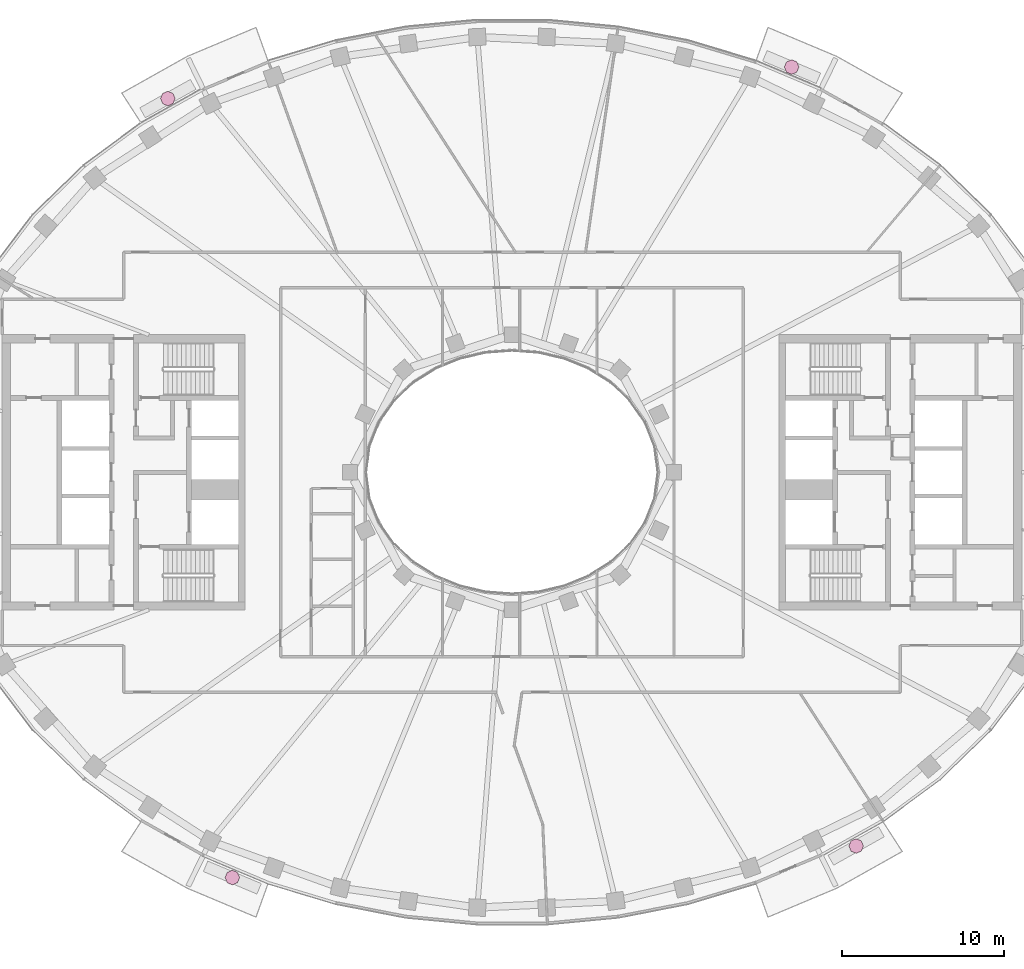
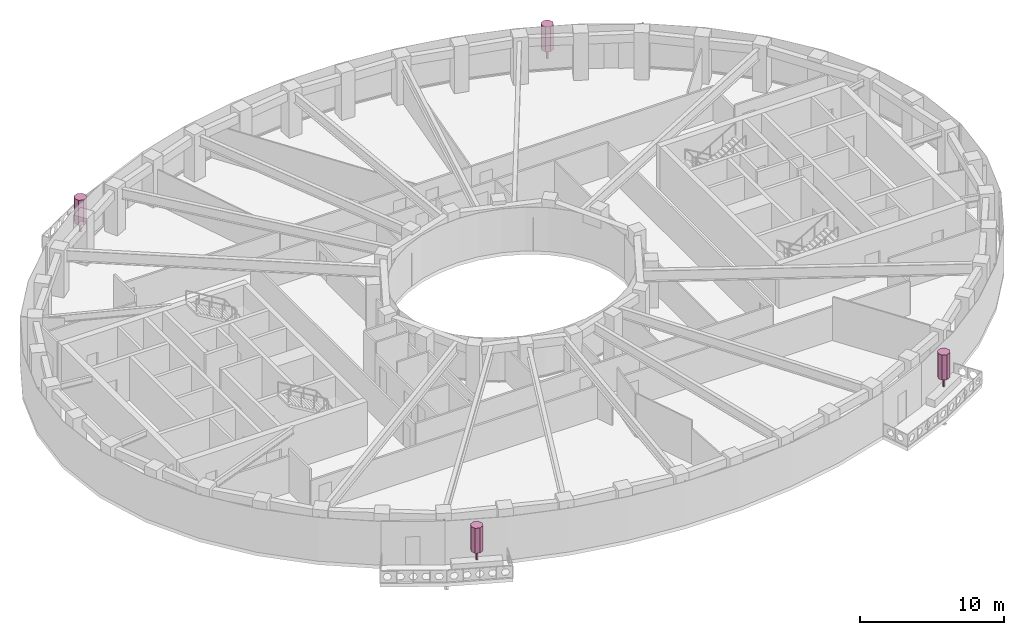
# One storey, part 15 of 15: 4 furnishings.
"""IFC4 building model written with IfcOpenShell, lengths in metres."""

from ifc_helpers import new_model, si_unit, direction, frame, origin, origin_2d, place, context, subcontext, project, spatial, polyline, rectangle, outline, extrude, material, type_object, element, save


model = new_model("IFC4")

# Units and contexts
model_context = context("Model", 3, precision=1e-05, world=origin(), true_north=direction((0.0, 1.0)))
body_context = subcontext(model_context, "Body", "Model", "MODEL_VIEW")
ifc_project = project(units=[si_unit("LENGTHUNIT", "METRE"), si_unit("AREAUNIT", "SQUARE_METRE"), si_unit("VOLUMEUNIT", "CUBIC_METRE"), si_unit("PLANEANGLEUNIT", "RADIAN"), si_unit("MASSUNIT", "GRAM", prefix="KILO")], contexts=[model_context])

# Site, building, storey
site_placement = place(None, origin())
site = spatial("IfcSite", under=ifc_project, at=site_placement, CompositionType="ELEMENT")
building_placement = place(site_placement, origin())
building = spatial("IfcBuilding", under=site, at=building_placement, Name="Noorbagh Ring Tower", CompositionType="ELEMENT")
storey_placement = place(building_placement, frame((0.0, 0.0, 277.5)))
storey = spatial("IfcBuildingStorey", under=building, at=storey_placement, Name="L59", CompositionType="ELEMENT", Elevation=277.5)

# Furnishings
ifc_material = material(Name="Planting foliage green")
furnishing_element_type = type_object("IfcFurnishingElementType", Name="ENV-TREE", material=ifc_material)
for number, where, z_axis, x_axis, name in (
    (1, (17.280517578125, 25.041259765625, 0.60009765625), (0.0, 0.0, 1.0), (1.0, 0.0, 0.0), "Tree BN02"),
    (2, (-21.26513671875, 23.093017578125, 0.60009765625), (0.0, 0.0, 1.0), (1.0, 0.0, 0.0), "Tree BN05"),
    (3, (-17.280517578125, -25.041259765625, 0.60009765625), (0.0, 0.0, 1.0), (1.0, 0.0, 0.0), "Tree BS02"),
    (4, (21.26513671875, -23.093017578125, 0.60009765625), (0.0, 0.0, 1.0), (1.0, 0.0, 0.0), "Tree BS05"),
):
    element("IfcFurnishingElement", number, at=place(storey_placement, frame(where, z_axis=z_axis, x_axis=x_axis)), inside=storey, type_object=furnishing_element_type, Name=name, context=body_context, shape_type="SweptSolid", body=[
        extrude(rectangle(XDim=0.1201171875, YDim=0.1201171875, at=origin_2d()), origin(), (0.0, 0.0, 1.0), 0.825927734375),
        extrude(outline(polyline([(0.449951171875, 0.0), (0.318115234375, 0.318115234375), (0.0, 0.449951171875), (-0.318115234375, 0.318115234375), (-0.449951171875, 0.0), (-0.318115234375, -0.318115234375), (0.0, -0.449951171875), (0.318115234375, -0.318115234375), (0.449951171875, 0.0)])), frame((0.0, 0.0, 0.825927734375)), (0.0, 0.0, 1.0), 2.1240234375),
    ])

save(model, "model.ifc")
